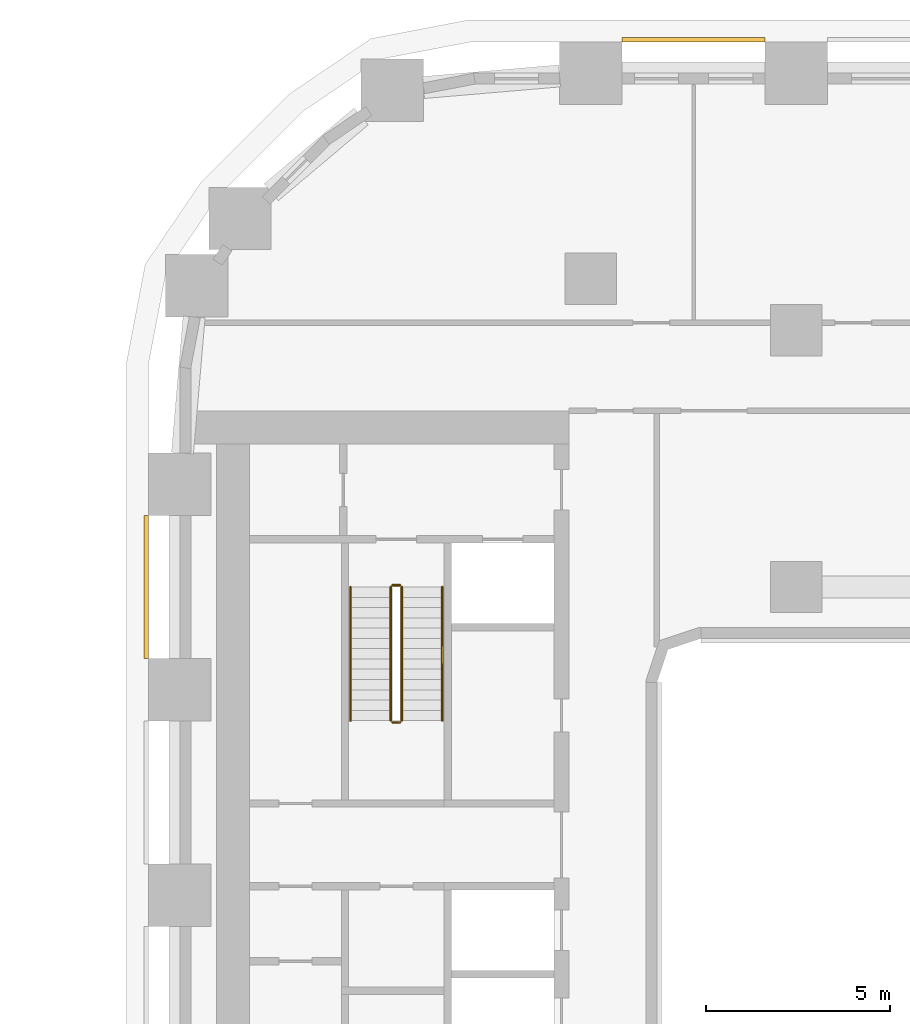
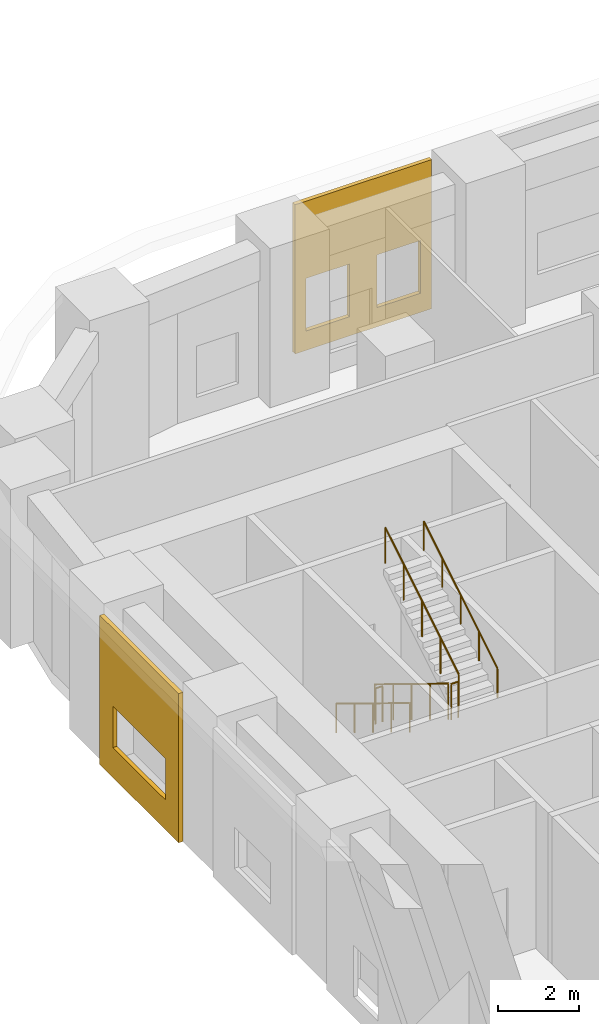
# One storey, part 20 of 23: 6 railings, 2 coverings.
"""IFC4 building model written with IfcOpenShell, lengths in metres."""

from ifc_helpers import new_model, si_unit, direction, frame, origin, origin_2d, place, context, subcontext, project, spatial, polyline, circle, outline, extrude, material, layer, layer_set, type_object, element, save


model = new_model("IFC4")

# Units and contexts
model_context = context("Model", 3, precision=1e-05, world=origin(), true_north=direction((0.0, 1.0)))
body_context = subcontext(model_context, "Body", "Model", "MODEL_VIEW")
ifc_project = project(units=[si_unit("LENGTHUNIT", "METRE"), si_unit("AREAUNIT", "SQUARE_METRE"), si_unit("VOLUMEUNIT", "CUBIC_METRE"), si_unit("PLANEANGLEUNIT", "RADIAN"), si_unit("MASSUNIT", "GRAM", prefix="KILO")], contexts=[model_context])

# Site, building, storey
site_placement = place(None, origin())
site = spatial("IfcSite", under=ifc_project, at=site_placement, CompositionType="ELEMENT")
building_placement = place(site_placement, origin())
building = spatial("IfcBuilding", under=site, at=building_placement, Name="Kiln Ring Residences", CompositionType="ELEMENT")
storey_placement = place(building_placement, frame((0.0, 0.0, 16.10009765625)))
storey = spatial("IfcBuildingStorey", under=building, at=storey_placement, Name="L03", CompositionType="ELEMENT", Elevation=16.10009765625)

# Railings
ifc_material_1 = material(Name="Stainless steel", Category="steel")
railing_type_1 = type_object("IfcRailingType", Name="CORE-STAIR-GUARD", PredefinedType="GUARDRAIL", material=ifc_material_1)
railing_1_placement = place(storey_placement, frame((-22.25, 8.39990234375, 0.17138671875)))
element("IfcRailing", 1, at=railing_1_placement, inside=storey, type_object=railing_type_1, Name="L03 W-STN stair guard 1", PredefinedType="GUARDRAIL", context=body_context, shape_type="SweptSolid", body=[
    extrude(circle(Radius=0.02392578125, at=origin_2d()), frame((0.0, 0.0, 1.076171875), z_axis=(0.0, -0.852850264322, 0.5221555579), x_axis=(1.0, 0.0, 0.0)), (0.0, 0.0, 1.0), 4.267822265625),
    extrude(circle(Radius=0.02099609375, at=origin_2d()), origin(), (0.0, 0.0, 1.0), 1.052001953125),
    extrude(circle(Radius=0.02099609375, at=origin_2d()), frame((0.0, -0.909912109375, 0.55712890625)), (0.0, 0.0, 1.0), 1.052001953125),
    extrude(circle(Radius=0.02099609375, at=origin_2d()), frame((0.0, -1.81982421875, 1.1142578125)), (0.0, 0.0, 1.0), 1.052001953125),
    extrude(circle(Radius=0.02099609375, at=origin_2d()), frame((0.0, -2.72998046875, 1.67138671875)), (0.0, 0.0, 1.0), 1.052001953125),
    extrude(circle(Radius=0.02099609375, at=origin_2d()), frame((0.0, -3.639892578125, 2.228515625)), (0.0, 0.0, 1.0), 1.052001953125),
])
railing_2_placement = place(storey_placement, frame((-22.199951171875, 4.7099609375, 2.39990234375)))
element("IfcRailing", 2, at=railing_2_placement, inside=storey, type_object=railing_type_1, Name="L03 W-STN stair guard 2", PredefinedType="GUARDRAIL", context=body_context, shape_type="SweptSolid", body=[
    extrude(circle(Radius=0.02392578125, at=origin_2d()), frame((0.0, 0.0, 1.076171875), z_axis=(1.0, 0.0, 0.0), x_axis=(0.0, 1.0, 0.0)), (0.0, 0.0, 1.0), 0.199951171875),
    extrude(circle(Radius=0.02099609375, at=origin_2d()), origin(), (0.0, 0.0, 1.0), 1.052001953125),
    extrude(circle(Radius=0.02099609375, at=origin_2d()), frame((0.199951171875, 0.0, 0.0)), (0.0, 0.0, 1.0), 1.052001953125),
])
railing_3_placement = place(storey_placement, frame((-21.949951171875, 4.760009765625, 2.5712890625)))
element("IfcRailing", 3, at=railing_3_placement, inside=storey, type_object=railing_type_1, Name="L03 W-STN stair guard 3", PredefinedType="GUARDRAIL", context=body_context, shape_type="SweptSolid", body=[
    extrude(circle(Radius=0.02392578125, at=origin_2d()), frame((0.0, 0.0, 1.076171875), z_axis=(0.0, 0.852850264322, 0.5221555579), x_axis=(-1.0, 0.0, 0.0)), (0.0, 0.0, 1.0), 4.267822265625),
    extrude(circle(Radius=0.02099609375, at=origin_2d()), origin(), (0.0, 0.0, 1.0), 1.052001953125),
    extrude(circle(Radius=0.02099609375, at=origin_2d()), frame((0.0, 0.909912109375, 0.55712890625)), (0.0, 0.0, 1.0), 1.052001953125),
    extrude(circle(Radius=0.02099609375, at=origin_2d()), frame((0.0, 1.81982421875, 1.1142578125)), (0.0, 0.0, 1.0), 1.052001953125),
    extrude(circle(Radius=0.02099609375, at=origin_2d()), frame((0.0, 2.72998046875, 1.67138671875)), (0.0, 0.0, 1.0), 1.052001953125),
    extrude(circle(Radius=0.02099609375, at=origin_2d()), frame((0.0, 3.639892578125, 2.228515625)), (0.0, 0.0, 1.0), 1.052001953125),
])
railing_4_placement = place(storey_placement, frame((-22.199951171875, 8.449951171875, 0.0)))
element("IfcRailing", 4, at=railing_4_placement, inside=storey, type_object=railing_type_1, Name="L03 W-STN stair guard 4", PredefinedType="GUARDRAIL", context=body_context, shape_type="SweptSolid", body=[
    extrude(circle(Radius=0.02392578125, at=origin_2d()), frame((0.0, 0.0, 1.076171875), z_axis=(1.0, 0.0, 0.0), x_axis=(0.0, 1.0, 0.0)), (0.0, 0.0, 1.0), 0.199951171875),
    extrude(circle(Radius=0.02099609375, at=origin_2d()), origin(), (0.0, 0.0, 1.0), 1.052001953125),
    extrude(circle(Radius=0.02099609375, at=origin_2d()), frame((0.199951171875, 0.0, 0.0)), (0.0, 0.0, 1.0), 1.052001953125),
])
ifc_material_2 = material(Name="Stainless steel", Category="steel")
railing_type_2 = type_object("IfcRailingType", Name="CORE-STAIR-HANDRAIL", PredefinedType="HANDRAIL", material=ifc_material_2)
railing_5_placement = place(storey_placement, frame((-23.35009765625, 8.39990234375, 0.17138671875)))
element("IfcRailing", 5, at=railing_5_placement, inside=storey, type_object=railing_type_2, Name="L03 W-STN stair handrail 1", PredefinedType="HANDRAIL", context=body_context, shape_type="SweptSolid", body=[
    extrude(circle(Radius=0.02392578125, at=origin_2d()), frame((0.0, 0.0, 0.8759765625), z_axis=(0.0, -0.852850264322, 0.5221555579), x_axis=(1.0, 0.0, 0.0)), (0.0, 0.0, 1.0), 4.267822265625),
    extrude(circle(Radius=0.02099609375, at=origin_2d()), origin(), (0.0, 0.0, 1.0), 0.851806640625),
    extrude(circle(Radius=0.02099609375, at=origin_2d()), frame((0.0, -0.909912109375, 0.55712890625)), (0.0, 0.0, 1.0), 0.851806640625),
    extrude(circle(Radius=0.02099609375, at=origin_2d()), frame((0.0, -1.81982421875, 1.1142578125)), (0.0, 0.0, 1.0), 0.851806640625),
    extrude(circle(Radius=0.02099609375, at=origin_2d()), frame((0.0, -2.72998046875, 1.67138671875)), (0.0, 0.0, 1.0), 0.851806640625),
    extrude(circle(Radius=0.02099609375, at=origin_2d()), frame((0.0, -3.639892578125, 2.228515625)), (0.0, 0.0, 1.0), 0.851806640625),
])
railing_6_placement = place(storey_placement, frame((-20.85009765625, 4.760009765625, 2.5712890625)))
element("IfcRailing", 6, at=railing_6_placement, inside=storey, type_object=railing_type_2, Name="L03 W-STN stair handrail 2", PredefinedType="HANDRAIL", context=body_context, shape_type="SweptSolid", body=[
    extrude(circle(Radius=0.02392578125, at=origin_2d()), frame((0.0, 0.0, 0.8759765625), z_axis=(0.0, 0.852850264322, 0.5221555579), x_axis=(-1.0, 0.0, 0.0)), (0.0, 0.0, 1.0), 4.267822265625),
    extrude(circle(Radius=0.02099609375, at=origin_2d()), origin(), (0.0, 0.0, 1.0), 0.851806640625),
    extrude(circle(Radius=0.02099609375, at=origin_2d()), frame((0.0, 0.909912109375, 0.55712890625)), (0.0, 0.0, 1.0), 0.851806640625),
    extrude(circle(Radius=0.02099609375, at=origin_2d()), frame((0.0, 1.81982421875, 1.1142578125)), (0.0, 0.0, 1.0), 0.851806640625),
    extrude(circle(Radius=0.02099609375, at=origin_2d()), frame((0.0, 2.72998046875, 1.67138671875)), (0.0, 0.0, 1.0), 0.851806640625),
    extrude(circle(Radius=0.02099609375, at=origin_2d()), frame((0.0, 3.639892578125, 2.228515625)), (0.0, 0.0, 1.0), 0.851806640625),
])

# Coverings
ifc_material_3 = material(Name="Brick masonry, dark clay brick", Category="masonry")
ifc_layer = layer(ifc_material_3, 0.1201171875)
ifc_layer_set = layer_set([ifc_layer], Name="RAINSCREEN PANEL 120")
covering_type = type_object("IfcCoveringType", Name="RAINSCREEN PANEL 120", PredefinedType="CLADDING", material=ifc_layer_set)
covering_1_placement = place(storey_placement, frame((-12.050048828125, 23.31005859375, 0.0), z_axis=(0.0, 0.0, 1.0), x_axis=(-1.0, 0.0, 0.0)))
element("IfcCovering", 7, at=covering_1_placement, inside=storey, type_object=covering_type, Name="RAINSCREEN L03", PredefinedType="CLADDING", context=body_context, shape_type="SweptSolid", body=[
    extrude(outline(polyline([(0.0, 0.0), (3.89990234375, 0.0), (3.89990234375, 4.5), (0.0, 4.5), (0.0, 0.0)]), holes=[polyline([(1.5576171875, 2.169921875), (0.3173828125, 2.169921875), (0.3173828125, 0.579833984375), (1.5576171875, 0.579833984375), (1.5576171875, 2.169921875)]), polyline([(3.58251953125, 2.169921875), (2.342529296875, 2.169921875), (2.342529296875, 0.579833984375), (3.58251953125, 0.579833984375), (3.58251953125, 2.169921875)])]), frame((0.0, 0.06005859375, 0.0), z_axis=(0.0, -1.0, 0.0), x_axis=(1.0, 0.0, 0.0)), (0.0, 0.0, 1.0), 0.1201171875),
])
covering_2_placement = place(storey_placement, frame((-28.909912109375, 10.35009765625, 0.0), z_axis=(0.0, 0.0, 1.0), x_axis=(0.0, -1.0, 0.0)))
element("IfcCovering", 8, at=covering_2_placement, inside=storey, type_object=covering_type, Name="RAINSCREEN L03", PredefinedType="CLADDING", context=body_context, shape_type="SweptSolid", body=[
    extrude(outline(polyline([(0.0, 0.0), (3.89990234375, 0.0), (3.89990234375, 4.5), (0.0, 4.5), (0.0, 0.0)]), holes=[polyline([(0.64990234375, 2.14990234375), (0.64990234375, 0.89990234375), (3.25, 0.89990234375), (3.25, 2.14990234375), (0.64990234375, 2.14990234375)])]), frame((0.0, 0.06005859375, 0.0), z_axis=(0.0, -1.0, 0.0), x_axis=(1.0, 0.0, 0.0)), (0.0, 0.0, 1.0), 0.1201171875),
])

save(model, "model.ifc")
